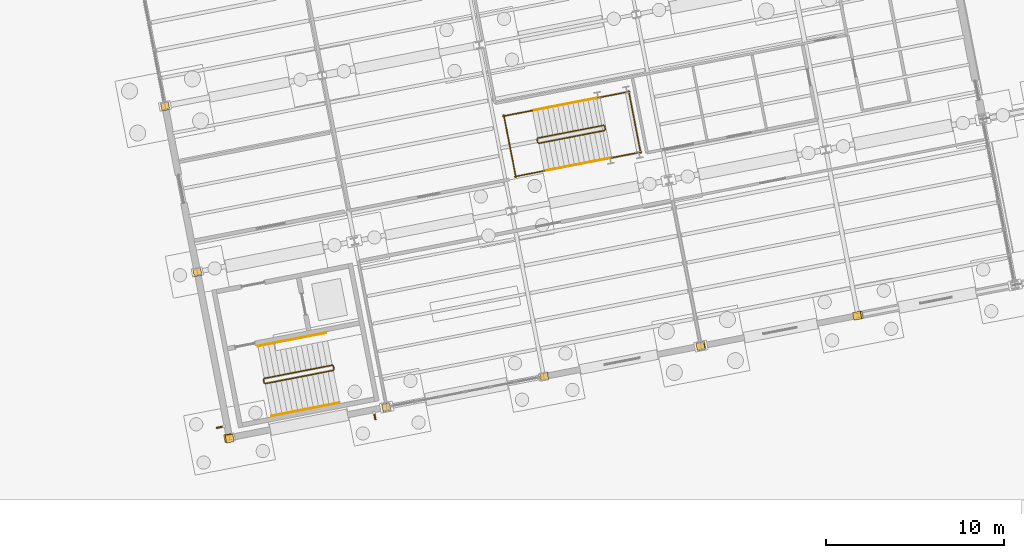
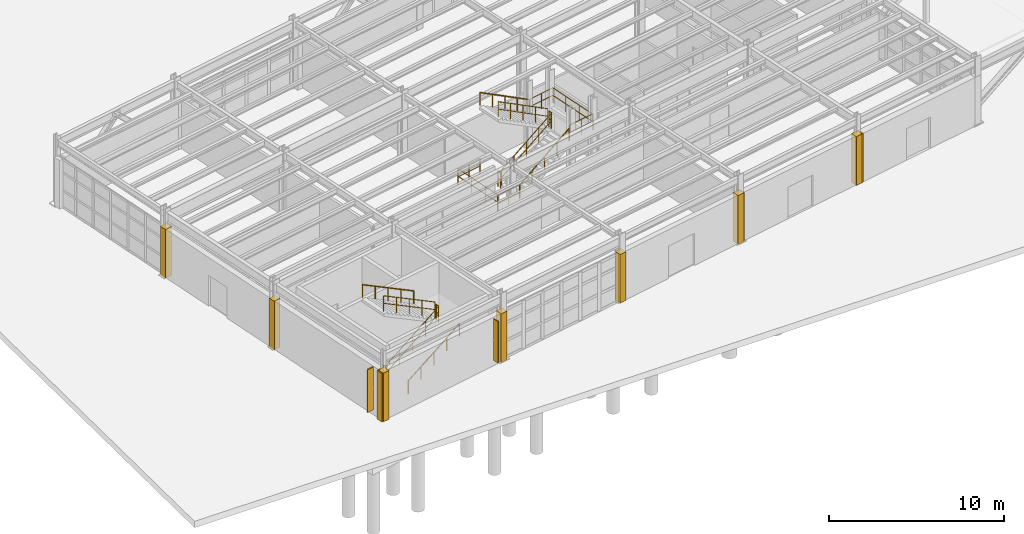
# One storey, part 98 of 108: 18 railings, 10 coverings, 2 shading devices.
"""IFC4 building model written with IfcOpenShell, lengths in metres."""

from ifc_helpers import new_model, si_unit, direction, frame, origin, origin_2d, place, context, subcontext, project, spatial, rectangle, circle, extrude, material, layer, layer_set, type_object, element, save


model = new_model("IFC4")

# Units and contexts
model_context = context("Model", 3, precision=1e-05, world=origin(), true_north=direction((0.0, 1.0)))
body_context = subcontext(model_context, "Body", "Model", "MODEL_VIEW")
ifc_project = project(units=[si_unit("LENGTHUNIT", "METRE"), si_unit("AREAUNIT", "SQUARE_METRE"), si_unit("VOLUMEUNIT", "CUBIC_METRE"), si_unit("PLANEANGLEUNIT", "RADIAN"), si_unit("MASSUNIT", "GRAM", prefix="KILO")], contexts=[model_context])

# Site, building, storey
site_placement = place(None, origin())
site = spatial("IfcSite", under=ifc_project, at=site_placement, CompositionType="ELEMENT")
building_placement = place(site_placement, origin())
building = spatial("IfcBuilding", under=site, at=building_placement, Name="Vireo Bluff Cable Station", CompositionType="ELEMENT")
storey_placement = place(building_placement, origin())
storey = spatial("IfcBuildingStorey", under=building, at=storey_placement, Name="L00", CompositionType="ELEMENT", Elevation=0.0)

# Coverings
ifc_material_1 = material(Name="Precast concrete f'c 45 MPa", Category="concrete")
ifc_layer = layer(ifc_material_1, 0.0400390625, Name="Precast concrete f'c 45 MPa")
ifc_layer_set = layer_set([ifc_layer], Name="Precast concrete f'c 45 MPa")
covering_type = type_object("IfcCoveringType", Name="COL-CLOSURE-WRAP", PredefinedType="CLADDING", material=ifc_layer_set)
for number, where, z_axis, x_axis, name in (
    (1, (44.7900390625, 12.359619140625, 0.0), (0.0, 0.0, 1.0), (0.981627183448, 0.190808995377, 0.0), "V5 L00 column pocket closure"),
    (2, (44.88720703125, 12.378662109375, 0.0), (0.0, 0.0, 1.0), (0.981627183448, 0.190808995377, 0.0), "V5 L00 column pocket closure"),
    (3, (36.026123046875, 10.65625, 0.0), (0.0, 0.0, 1.0), (0.981627183448, 0.190808995377, 0.0), "V5 L00 column pocket closure"),
    (4, (35.98193359375, 10.6474609375, 0.0), (0.0, 0.0, 1.0), (0.981627183448, 0.190808995377, 0.0), "V5 L00 column pocket closure"),
    (5, (27.19384765625, 8.939208984375, 0.0), (0.0, 0.0, 1.0), (0.981627183448, 0.190808995377, 0.0), "V5 L00 column pocket closure"),
    (6, (18.3125, 7.212890625, 0.0), (0.0, 0.0, 1.0), (0.981627183448, 0.190808995377, 0.0), "V5 L00 column pocket closure"),
    (7, (9.42529296875, 5.485595703125, 0.0), (0.0, 0.0, 1.0), (0.981627183448, 0.190808995377, 0.0), "V5 L00 column pocket closure"),
    (8, (9.509521484375, 5.451416015625, 0.0), (0.0, 0.0, 1.0), (0.981627183448, 0.190808995377, 0.0), "V5 L00 column pocket closure"),
    (9, (7.69140625, 14.804443359375, 0.0), (0.0, 0.0, 1.0), (0.981627183448, 0.190808995377, 0.0), "V5 L00 column pocket closure"),
    (10, (5.88037109375, 24.12109375, 0.0), (0.0, 0.0, 1.0), (0.981627183448, 0.190808995377, 0.0), "V5 L00 column pocket closure"),
):
    element("IfcCovering", number, at=place(storey_placement, frame(where, z_axis=z_axis, x_axis=x_axis)), inside=storey, type_object=covering_type, Name=name, PredefinedType="CLADDING", context=body_context, shape_type="SweptSolid", body=[
        extrude(rectangle(XDim=0.43994140625, YDim=0.43994140625, at=origin_2d()), origin(), (0.0, 0.0, 1.0), 3.39990234375),
    ])

# Shading devices
ifc_material_2 = material(Name="Extruded Terracotta Solar Fin", Category="masonry")
shading_device_type_1 = type_object("IfcShadingDeviceType", Name="SOLARFIN-400X2900", PredefinedType="SHUTTER", material=ifc_material_2)
shading_device_1_placement = place(storey_placement, frame((17.66748046875, 6.70556640625, 0.400146484375), z_axis=(0.0, 0.0, 1.0), x_axis=(-0.981627183814, -0.190808993492, 0.0)))
element("IfcShadingDevice", 11, at=shading_device_1_placement, inside=storey, type_object=shading_device_type_1, Name="V5 L00 solar brise-soleil fin 32", PredefinedType="SHUTTER", context=body_context, shape_type="SweptSolid", body=[
    extrude(rectangle(XDim=0.080078125, YDim=0.39990234375, at=origin_2d()), origin(), (0.0, 0.0, 1.0), 2.89990234375),
])
shading_device_type_2 = type_object("IfcShadingDeviceType", Name="SOLARFIN-440X3000", PredefinedType="SHUTTER", material=ifc_material_2)
shading_device_2_placement = place(storey_placement, frame((8.9775390625, 6.091552734375, 0.35009765625), z_axis=(0.0, 0.0, 1.0), x_axis=(-0.190808904334, 0.981627201145, 0.0)))
element("IfcShadingDevice", 12, at=shading_device_2_placement, inside=storey, type_object=shading_device_type_2, Name="V5 L00 solar brise-soleil fin 33", PredefinedType="SHUTTER", context=body_context, shape_type="SweptSolid", body=[
    extrude(rectangle(XDim=0.080078125, YDim=0.43994140625, at=origin_2d()), origin(), (0.0, 0.0, 1.0), 3.0),
])

# Railings
ifc_material_3 = material(Name="Stainless Steel 316", Category="steel")
railing_type_1 = type_object("IfcRailingType", Name="STAIR-GUARD-1100", PredefinedType="GUARDRAIL", material=ifc_material_3)
railing_1_placement = place(storey_placement, frame((11.507080078125, 8.538818359375, 0.17138671875)))
element("IfcRailing", 13, at=railing_1_placement, inside=storey, type_object=railing_type_1, Name="L00 ST-05 stair guard 1", PredefinedType="GUARDRAIL", context=body_context, shape_type="SweptSolid", body=[
    extrude(circle(Radius=0.02392578125, at=origin_2d()), frame((0.0, 0.0, 1.076171875), z_axis=(0.852298186376, 0.165665765708, 0.49612766056), x_axis=(-0.190804312824, 0.981628093632, 0.0)), (0.0, 0.0, 1.0), 4.49169921875),
    extrude(circle(Radius=0.02392578125, at=origin_2d()), frame((0.0, 0.0, 0.550048828125), z_axis=(0.852298186376, 0.165665765708, 0.49612766056), x_axis=(-0.190804312824, 0.981628093632, 0.0)), (0.0, 0.0, 1.0), 4.49169921875),
    extrude(circle(Radius=0.02099609375, at=origin_2d()), origin(), (0.0, 0.0, 1.0), 1.052001953125),
    extrude(circle(Radius=0.02099609375, at=origin_2d()), frame((0.95703125, 0.18603515625, 0.55712890625)), (0.0, 0.0, 1.0), 1.052001953125),
    extrude(circle(Radius=0.02099609375, at=origin_2d()), frame((1.9140625, 0.3720703125, 1.1142578125)), (0.0, 0.0, 1.0), 1.052001953125),
    extrude(circle(Radius=0.02099609375, at=origin_2d()), frame((2.871337890625, 0.55810546875, 1.67138671875)), (0.0, 0.0, 1.0), 1.052001953125),
    extrude(circle(Radius=0.02099609375, at=origin_2d()), frame((3.828369140625, 0.744140625, 2.228515625)), (0.0, 0.0, 1.0), 1.052001953125),
])
railing_2_placement = place(storey_placement, frame((15.375, 9.341552734375, 2.39990234375)))
element("IfcRailing", 14, at=railing_2_placement, inside=storey, type_object=railing_type_1, Name="L00 ST-05 stair guard 2", PredefinedType="GUARDRAIL", context=body_context, shape_type="SweptSolid", body=[
    extrude(circle(Radius=0.02392578125, at=origin_2d()), frame((0.0, 0.0, 1.076171875), z_axis=(-0.191653766286, 0.981462599322, 0.0), x_axis=(-0.981462599322, -0.191653766286, 0.0)), (0.0, 0.0, 1.0), 0.199951171875),
    extrude(circle(Radius=0.02392578125, at=origin_2d()), frame((0.0, 0.0, 0.550048828125), z_axis=(-0.191653766286, 0.981462599322, 0.0), x_axis=(-0.981462599322, -0.191653766286, 0.0)), (0.0, 0.0, 1.0), 0.199951171875),
    extrude(circle(Radius=0.02099609375, at=origin_2d()), origin(), (0.0, 0.0, 1.0), 1.052001953125),
    extrude(circle(Radius=0.02099609375, at=origin_2d()), frame((-0.038330078125, 0.1962890625, 0.0)), (0.0, 0.0, 1.0), 1.052001953125),
])
railing_3_placement = place(storey_placement, frame((15.278076171875, 9.577392578125, 2.571533203125)))
element("IfcRailing", 15, at=railing_3_placement, inside=storey, type_object=railing_type_1, Name="L00 ST-05 stair guard 3", PredefinedType="GUARDRAIL", context=body_context, shape_type="SweptSolid", body=[
    extrude(circle(Radius=0.02392578125, at=origin_2d()), frame((0.0, 0.0, 1.076171875), z_axis=(-0.852298186376, -0.165665765708, 0.49612766056), x_axis=(0.190804312824, -0.981628093632, 0.0)), (0.0, 0.0, 1.0), 4.49169921875),
    extrude(circle(Radius=0.02392578125, at=origin_2d()), frame((0.0, 0.0, 0.550048828125), z_axis=(-0.852298186376, -0.165665765708, 0.49612766056), x_axis=(0.190804312824, -0.981628093632, 0.0)), (0.0, 0.0, 1.0), 4.49169921875),
    extrude(circle(Radius=0.02099609375, at=origin_2d()), origin(), (0.0, 0.0, 1.0), 1.052001953125),
    extrude(circle(Radius=0.02099609375, at=origin_2d()), frame((-0.95703125, -0.18603515625, 0.55712890625)), (0.0, 0.0, 1.0), 1.052001953125),
    extrude(circle(Radius=0.02099609375, at=origin_2d()), frame((-1.9140625, -0.3720703125, 1.1142578125)), (0.0, 0.0, 1.0), 1.052001953125),
    extrude(circle(Radius=0.02099609375, at=origin_2d()), frame((-2.871337890625, -0.55810546875, 1.67138671875)), (0.0, 0.0, 1.0), 1.052001953125),
    extrude(circle(Radius=0.02099609375, at=origin_2d()), frame((-3.828369140625, -0.744140625, 2.228515625)), (0.0, 0.0, 1.0), 1.052001953125),
])
railing_4_placement = place(storey_placement, frame((11.448486328125, 8.578369140625, 0.0)))
element("IfcRailing", 16, at=railing_4_placement, inside=storey, type_object=railing_type_1, Name="L00 ST-05 stair guard 4", PredefinedType="GUARDRAIL", context=body_context, shape_type="SweptSolid", body=[
    extrude(circle(Radius=0.02392578125, at=origin_2d()), frame((0.0, 0.0, 1.076171875), z_axis=(-0.191653766286, 0.981462599322, 0.0), x_axis=(-0.981462599322, -0.191653766286, 0.0)), (0.0, 0.0, 1.0), 0.199951171875),
    extrude(circle(Radius=0.02392578125, at=origin_2d()), frame((0.0, 0.0, 0.550048828125), z_axis=(-0.191653766286, 0.981462599322, 0.0), x_axis=(-0.981462599322, -0.191653766286, 0.0)), (0.0, 0.0, 1.0), 0.199951171875),
    extrude(circle(Radius=0.02099609375, at=origin_2d()), origin(), (0.0, 0.0, 1.0), 1.052001953125),
    extrude(circle(Radius=0.02099609375, at=origin_2d()), frame((-0.038330078125, 0.1962890625, 0.0)), (0.0, 0.0, 1.0), 1.052001953125),
])
railing_5_placement = place(storey_placement, frame((26.89111328125, 22.052490234375, 0.17138671875)))
element("IfcRailing", 17, at=railing_5_placement, inside=storey, type_object=railing_type_1, Name="L00 ST-07 stair guard 1", PredefinedType="GUARDRAIL", context=body_context, shape_type="SweptSolid", body=[
    extrude(circle(Radius=0.02392578125, at=origin_2d()), frame((0.0, 0.0, 1.076171875), z_axis=(0.845023956722, 0.164288534138, 0.508865198374), x_axis=(-0.190845392396, 0.981620107884, 0.0)), (0.0, 0.0, 1.0), 4.37939453125),
    extrude(circle(Radius=0.02392578125, at=origin_2d()), frame((0.0, 0.0, 0.550048828125), z_axis=(0.845023956722, 0.164288534138, 0.508865198374), x_axis=(-0.190845392396, 0.981620107884, 0.0)), (0.0, 0.0, 1.0), 4.37939453125),
    extrude(circle(Radius=0.02099609375, at=origin_2d()), origin(), (0.0, 0.0, 1.0), 1.052001953125),
    extrude(circle(Radius=0.02099609375, at=origin_2d()), frame((0.92529296875, 0.179931640625, 0.55712890625)), (0.0, 0.0, 1.0), 1.052001953125),
    extrude(circle(Radius=0.02099609375, at=origin_2d()), frame((1.850341796875, 0.35986328125, 1.1142578125)), (0.0, 0.0, 1.0), 1.052001953125),
    extrude(circle(Radius=0.02099609375, at=origin_2d()), frame((2.775390625, 0.53955078125, 1.67138671875)), (0.0, 0.0, 1.0), 1.052001953125),
    extrude(circle(Radius=0.02099609375, at=origin_2d()), frame((3.70068359375, 0.719482421875, 2.228515625)), (0.0, 0.0, 1.0), 1.052001953125),
])
railing_6_placement = place(storey_placement, frame((30.63134765625, 22.83056640625, 2.39990234375)))
element("IfcRailing", 18, at=railing_6_placement, inside=storey, type_object=railing_type_1, Name="L00 ST-07 stair guard 2", PredefinedType="GUARDRAIL", context=body_context, shape_type="SweptSolid", body=[
    extrude(circle(Radius=0.02392578125, at=origin_2d()), frame((0.0, 0.0, 1.076171875), z_axis=(-0.190477468355, 0.981691567677, 0.0), x_axis=(-0.981691567677, -0.190477468355, 0.0)), (0.0, 0.0, 1.0), 0.199951171875),
    extrude(circle(Radius=0.02392578125, at=origin_2d()), frame((0.0, 0.0, 0.550048828125), z_axis=(-0.190477468355, 0.981691567677, 0.0), x_axis=(-0.981691567677, -0.190477468355, 0.0)), (0.0, 0.0, 1.0), 0.199951171875),
    extrude(circle(Radius=0.02099609375, at=origin_2d()), origin(), (0.0, 0.0, 1.0), 1.052001953125),
    extrude(circle(Radius=0.02099609375, at=origin_2d()), frame((-0.0380859375, 0.1962890625, 0.0)), (0.0, 0.0, 1.0), 1.052001953125),
])
railing_7_placement = place(storey_placement, frame((30.893310546875, 21.220947265625, 2.39990234375)))
element("IfcRailing", 19, at=railing_7_placement, inside=storey, type_object=railing_type_1, Name="L00 ST-07 stair guard 3", PredefinedType="GUARDRAIL", context=body_context, shape_type="SweptSolid", body=[
    extrude(circle(Radius=0.02392578125, at=origin_2d()), frame((0.0, 0.0, 1.076171875), z_axis=(0.981625270037, 0.19081883876, 0.0), x_axis=(-0.19081883876, 0.981625270037, 0.0)), (0.0, 0.0, 1.0), 1.800048828125),
    extrude(circle(Radius=0.02392578125, at=origin_2d()), frame((0.0, 0.0, 0.550048828125), z_axis=(0.981625270037, 0.19081883876, 0.0), x_axis=(-0.19081883876, 0.981625270037, 0.0)), (0.0, 0.0, 1.0), 1.800048828125),
    extrude(circle(Radius=0.02099609375, at=origin_2d()), origin(), (0.0, 0.0, 1.0), 1.052001953125),
    extrude(circle(Radius=0.02099609375, at=origin_2d()), frame((0.883544921875, 0.171875, 0.0)), (0.0, 0.0, 1.0), 1.052001953125),
    extrude(circle(Radius=0.02099609375, at=origin_2d()), frame((1.76708984375, 0.343505859375, 0.0)), (0.0, 0.0, 1.0), 1.052001953125),
])
railing_8_placement = place(storey_placement, frame((30.233154296875, 24.617431640625, 2.39990234375)))
element("IfcRailing", 20, at=railing_8_placement, inside=storey, type_object=railing_type_1, Name="L00 ST-07 stair guard 4", PredefinedType="GUARDRAIL", context=body_context, shape_type="SweptSolid", body=[
    extrude(circle(Radius=0.02392578125, at=origin_2d()), frame((0.0, 0.0, 1.076171875), z_axis=(0.981645732966, 0.190713541599, 0.0), x_axis=(-0.190713541599, 0.981645732966, 0.0)), (0.0, 0.0, 1.0), 1.7998046875),
    extrude(circle(Radius=0.02392578125, at=origin_2d()), frame((0.0, 0.0, 0.550048828125), z_axis=(0.981645732966, 0.190713541599, 0.0), x_axis=(-0.190713541599, 0.981645732966, 0.0)), (0.0, 0.0, 1.0), 1.7998046875),
    extrude(circle(Radius=0.02099609375, at=origin_2d()), origin(), (0.0, 0.0, 1.0), 1.052001953125),
    extrude(circle(Radius=0.02099609375, at=origin_2d()), frame((0.88330078125, 0.171630859375, 0.0)), (0.0, 0.0, 1.0), 1.052001953125),
    extrude(circle(Radius=0.02099609375, at=origin_2d()), frame((1.766845703125, 0.34326171875, 0.0)), (0.0, 0.0, 1.0), 1.052001953125),
])
railing_9_placement = place(storey_placement, frame((32.620849609375, 21.505615234375, 2.39990234375)))
element("IfcRailing", 21, at=railing_9_placement, inside=storey, type_object=railing_type_1, Name="L00 ST-07 stair guard 5", PredefinedType="GUARDRAIL", context=body_context, shape_type="SweptSolid", body=[
    extrude(circle(Radius=0.02392578125, at=origin_2d()), frame((0.0, 0.0, 1.076171875), z_axis=(-0.190851303741, 0.981618958588, 0.0), x_axis=(-0.981618958588, -0.190851303741, 0.0)), (0.0, 0.0, 1.0), 3.56005859375),
    extrude(circle(Radius=0.02392578125, at=origin_2d()), frame((0.0, 0.0, 0.550048828125), z_axis=(-0.190851303741, 0.981618958588, 0.0), x_axis=(-0.981618958588, -0.190851303741, 0.0)), (0.0, 0.0, 1.0), 3.56005859375),
    extrude(circle(Radius=0.02099609375, at=origin_2d()), origin(), (0.0, 0.0, 1.0), 1.052001953125),
    extrude(circle(Radius=0.02099609375, at=origin_2d()), frame((-0.2265625, 1.164794921875, 0.0)), (0.0, 0.0, 1.0), 1.052001953125),
    extrude(circle(Radius=0.02099609375, at=origin_2d()), frame((-0.452880859375, 2.329833984375, 0.0)), (0.0, 0.0, 1.0), 1.052001953125),
    extrude(circle(Radius=0.02099609375, at=origin_2d()), frame((-0.679443359375, 3.49462890625, 0.0)), (0.0, 0.0, 1.0), 1.052001953125),
])
railing_10_placement = place(storey_placement, frame((30.53466796875, 23.06640625, 2.571533203125)))
element("IfcRailing", 22, at=railing_10_placement, inside=storey, type_object=railing_type_1, Name="L00 ST-07 stair guard 6", PredefinedType="GUARDRAIL", context=body_context, shape_type="SweptSolid", body=[
    extrude(circle(Radius=0.02392578125, at=origin_2d()), frame((0.0, 0.0, 1.076171875), z_axis=(-0.845023956722, -0.164288534138, 0.508865198374), x_axis=(0.190845392396, -0.981620107884, 0.0)), (0.0, 0.0, 1.0), 4.37939453125),
    extrude(circle(Radius=0.02392578125, at=origin_2d()), frame((0.0, 0.0, 0.550048828125), z_axis=(-0.845023956722, -0.164288534138, 0.508865198374), x_axis=(0.190845392396, -0.981620107884, 0.0)), (0.0, 0.0, 1.0), 4.37939453125),
    extrude(circle(Radius=0.02099609375, at=origin_2d()), origin(), (0.0, 0.0, 1.0), 1.052001953125),
    extrude(circle(Radius=0.02099609375, at=origin_2d()), frame((-0.92529296875, -0.179931640625, 0.55712890625)), (0.0, 0.0, 1.0), 1.052001953125),
    extrude(circle(Radius=0.02099609375, at=origin_2d()), frame((-1.850341796875, -0.35986328125, 1.1142578125)), (0.0, 0.0, 1.0), 1.052001953125),
    extrude(circle(Radius=0.02099609375, at=origin_2d()), frame((-2.775390625, -0.53955078125, 1.67138671875)), (0.0, 0.0, 1.0), 1.052001953125),
    extrude(circle(Radius=0.02099609375, at=origin_2d()), frame((-3.70068359375, -0.719482421875, 2.228515625)), (0.0, 0.0, 1.0), 1.052001953125),
])
railing_11_placement = place(storey_placement, frame((26.83251953125, 22.092041015625, 0.0)))
element("IfcRailing", 23, at=railing_11_placement, inside=storey, type_object=railing_type_1, Name="L00 ST-07 stair guard 7", PredefinedType="GUARDRAIL", context=body_context, shape_type="SweptSolid", body=[
    extrude(circle(Radius=0.02392578125, at=origin_2d()), frame((0.0, 0.0, 1.076171875), z_axis=(-0.190477468355, 0.981691567677, 0.0), x_axis=(-0.981691567677, -0.190477468355, 0.0)), (0.0, 0.0, 1.0), 0.199951171875),
    extrude(circle(Radius=0.02392578125, at=origin_2d()), frame((0.0, 0.0, 0.550048828125), z_axis=(-0.190477468355, 0.981691567677, 0.0), x_axis=(-0.981691567677, -0.190477468355, 0.0)), (0.0, 0.0, 1.0), 0.199951171875),
    extrude(circle(Radius=0.02099609375, at=origin_2d()), origin(), (0.0, 0.0, 1.0), 1.052001953125),
    extrude(circle(Radius=0.02099609375, at=origin_2d()), frame((-0.0380859375, 0.1962890625, 0.0)), (0.0, 0.0, 1.0), 1.052001953125),
])
for number, where, name in (
    (24, (25.54345703125, 20.180908203125, 0.0), "L00 ST-07 stair guard 8"),
    (25, (24.88330078125, 23.577392578125, 0.0), "L00 ST-07 stair guard 9"),
):
    element("IfcRailing", number, at=place(storey_placement, frame(where)), inside=storey, type_object=railing_type_1, Name=name, PredefinedType="GUARDRAIL", context=body_context, shape_type="SweptSolid", body=[
        extrude(circle(Radius=0.02392578125, at=origin_2d()), frame((0.0, 0.0, 1.076171875), z_axis=(0.981628244641, 0.190803535931, 0.0), x_axis=(-0.190803535931, 0.981628244641, 0.0)), (0.0, 0.0, 1.0), 1.679931640625),
        extrude(circle(Radius=0.02392578125, at=origin_2d()), frame((0.0, 0.0, 0.550048828125), z_axis=(0.981628244641, 0.190803535931, 0.0), x_axis=(-0.190803535931, 0.981628244641, 0.0)), (0.0, 0.0, 1.0), 1.679931640625),
        extrude(circle(Radius=0.02099609375, at=origin_2d()), origin(), (0.0, 0.0, 1.0), 1.052001953125),
        extrude(circle(Radius=0.02099609375, at=origin_2d()), frame((0.82470703125, 0.16015625, 0.0)), (0.0, 0.0, 1.0), 1.052001953125),
        extrude(circle(Radius=0.02099609375, at=origin_2d()), frame((1.649169921875, 0.320556640625, 0.0)), (0.0, 0.0, 1.0), 1.052001953125),
    ])
railing_12_placement = place(storey_placement, frame((25.60205078125, 20.141357421875, 0.0)))
element("IfcRailing", 26, at=railing_12_placement, inside=storey, type_object=railing_type_1, Name="L00 ST-07 stair guard 10", PredefinedType="GUARDRAIL", context=body_context, shape_type="SweptSolid", body=[
    extrude(circle(Radius=0.02392578125, at=origin_2d()), frame((0.0, 0.0, 1.076171875), z_axis=(-0.190785222784, 0.981631804073, 0.0), x_axis=(-0.981631804073, -0.190785222784, 0.0)), (0.0, 0.0, 1.0), 3.56005859375),
    extrude(circle(Radius=0.02392578125, at=origin_2d()), frame((0.0, 0.0, 0.550048828125), z_axis=(-0.190785222784, 0.981631804073, 0.0), x_axis=(-0.981631804073, -0.190785222784, 0.0)), (0.0, 0.0, 1.0), 3.56005859375),
    extrude(circle(Radius=0.02099609375, at=origin_2d()), origin(), (0.0, 0.0, 1.0), 1.052001953125),
    extrude(circle(Radius=0.02099609375, at=origin_2d()), frame((-0.226318359375, 1.164794921875, 0.0)), (0.0, 0.0, 1.0), 1.052001953125),
    extrude(circle(Radius=0.02099609375, at=origin_2d()), frame((-0.452880859375, 2.329833984375, 0.0)), (0.0, 0.0, 1.0), 1.052001953125),
    extrude(circle(Radius=0.02099609375, at=origin_2d()), frame((-0.67919921875, 3.49462890625, 0.0)), (0.0, 0.0, 1.0), 1.052001953125),
])
railing_type_2 = type_object("IfcRailingType", Name="STAIR-HANDRAIL-900", PredefinedType="HANDRAIL", material=ifc_material_3)
railing_13_placement = place(storey_placement, frame((11.860107421875, 6.722900390625, 0.17138671875)))
element("IfcRailing", 27, at=railing_13_placement, inside=storey, type_object=railing_type_2, Name="L00 ST-05 stair handrail 1", PredefinedType="HANDRAIL", context=body_context, shape_type="SweptSolid", body=[
    extrude(circle(Radius=0.02392578125, at=origin_2d()), frame((0.0, 0.0, 0.8759765625), z_axis=(0.852298186376, 0.165665765708, 0.49612766056), x_axis=(-0.190804312824, 0.981628093632, 0.0)), (0.0, 0.0, 1.0), 4.49169921875),
    extrude(circle(Radius=0.02099609375, at=origin_2d()), origin(), (0.0, 0.0, 1.0), 0.851806640625),
    extrude(circle(Radius=0.02099609375, at=origin_2d()), frame((0.95703125, 0.18603515625, 0.55712890625)), (0.0, 0.0, 1.0), 0.851806640625),
    extrude(circle(Radius=0.02099609375, at=origin_2d()), frame((1.9140625, 0.3720703125, 1.1142578125)), (0.0, 0.0, 1.0), 0.851806640625),
    extrude(circle(Radius=0.02099609375, at=origin_2d()), frame((2.871337890625, 0.55810546875, 1.67138671875)), (0.0, 0.0, 1.0), 0.851806640625),
    extrude(circle(Radius=0.02099609375, at=origin_2d()), frame((3.828369140625, 0.744140625, 2.228515625)), (0.0, 0.0, 1.0), 0.851806640625),
])
railing_14_placement = place(storey_placement, frame((14.925048828125, 11.3935546875, 2.571533203125)))
element("IfcRailing", 28, at=railing_14_placement, inside=storey, type_object=railing_type_2, Name="L00 ST-05 stair handrail 2", PredefinedType="HANDRAIL", context=body_context, shape_type="SweptSolid", body=[
    extrude(circle(Radius=0.02392578125, at=origin_2d()), frame((0.0, 0.0, 0.8759765625), z_axis=(-0.85228331522, -0.165673440357, 0.496150644218), x_axis=(0.19081603841, -0.981625814394, 0.0)), (0.0, 0.0, 1.0), 4.49169921875),
    extrude(circle(Radius=0.02099609375, at=origin_2d()), origin(), (0.0, 0.0, 1.0), 0.851806640625),
    extrude(circle(Radius=0.02099609375, at=origin_2d()), frame((-0.95703125, -0.18603515625, 0.55712890625)), (0.0, 0.0, 1.0), 0.851806640625),
    extrude(circle(Radius=0.02099609375, at=origin_2d()), frame((-1.9140625, -0.3720703125, 1.1142578125)), (0.0, 0.0, 1.0), 0.851806640625),
    extrude(circle(Radius=0.02099609375, at=origin_2d()), frame((-2.87109375, -0.55810546875, 1.67138671875)), (0.0, 0.0, 1.0), 0.851806640625),
    extrude(circle(Radius=0.02099609375, at=origin_2d()), frame((-3.828125, -0.744140625, 2.228515625)), (0.0, 0.0, 1.0), 0.851806640625),
])
railing_15_placement = place(storey_placement, frame((27.192626953125, 20.50146484375, 0.17138671875)))
element("IfcRailing", 29, at=railing_15_placement, inside=storey, type_object=railing_type_2, Name="L00 ST-07 stair handrail 1", PredefinedType="HANDRAIL", context=body_context, shape_type="SweptSolid", body=[
    extrude(circle(Radius=0.02392578125, at=origin_2d()), frame((0.0, 0.0, 0.8759765625), z_axis=(0.845023956722, 0.164288534138, 0.508865198374), x_axis=(-0.190845392396, 0.981620107884, 0.0)), (0.0, 0.0, 1.0), 4.37939453125),
    extrude(circle(Radius=0.02099609375, at=origin_2d()), origin(), (0.0, 0.0, 1.0), 0.851806640625),
    extrude(circle(Radius=0.02099609375, at=origin_2d()), frame((0.92529296875, 0.179931640625, 0.55712890625)), (0.0, 0.0, 1.0), 0.851806640625),
    extrude(circle(Radius=0.02099609375, at=origin_2d()), frame((1.850341796875, 0.35986328125, 1.1142578125)), (0.0, 0.0, 1.0), 0.851806640625),
    extrude(circle(Radius=0.02099609375, at=origin_2d()), frame((2.775390625, 0.53955078125, 1.67138671875)), (0.0, 0.0, 1.0), 0.851806640625),
    extrude(circle(Radius=0.02099609375, at=origin_2d()), frame((3.70068359375, 0.719482421875, 2.228515625)), (0.0, 0.0, 1.0), 0.851806640625),
])
railing_16_placement = place(storey_placement, frame((30.233154296875, 24.617431640625, 2.571533203125)))
element("IfcRailing", 30, at=railing_16_placement, inside=storey, type_object=railing_type_2, Name="L00 ST-07 stair handrail 2", PredefinedType="HANDRAIL", context=body_context, shape_type="SweptSolid", body=[
    extrude(circle(Radius=0.02392578125, at=origin_2d()), frame((0.0, 0.0, 0.8759765625), z_axis=(-0.845023956722, -0.164288534138, 0.508865198374), x_axis=(0.190845392396, -0.981620107884, 0.0)), (0.0, 0.0, 1.0), 4.37939453125),
    extrude(circle(Radius=0.02099609375, at=origin_2d()), origin(), (0.0, 0.0, 1.0), 0.851806640625),
    extrude(circle(Radius=0.02099609375, at=origin_2d()), frame((-0.92529296875, -0.179931640625, 0.55712890625)), (0.0, 0.0, 1.0), 0.851806640625),
    extrude(circle(Radius=0.02099609375, at=origin_2d()), frame((-1.850341796875, -0.35986328125, 1.1142578125)), (0.0, 0.0, 1.0), 0.851806640625),
    extrude(circle(Radius=0.02099609375, at=origin_2d()), frame((-2.775390625, -0.53955078125, 1.67138671875)), (0.0, 0.0, 1.0), 0.851806640625),
    extrude(circle(Radius=0.02099609375, at=origin_2d()), frame((-3.70068359375, -0.719482421875, 2.228515625)), (0.0, 0.0, 1.0), 0.851806640625),
])

save(model, "model.ifc")
